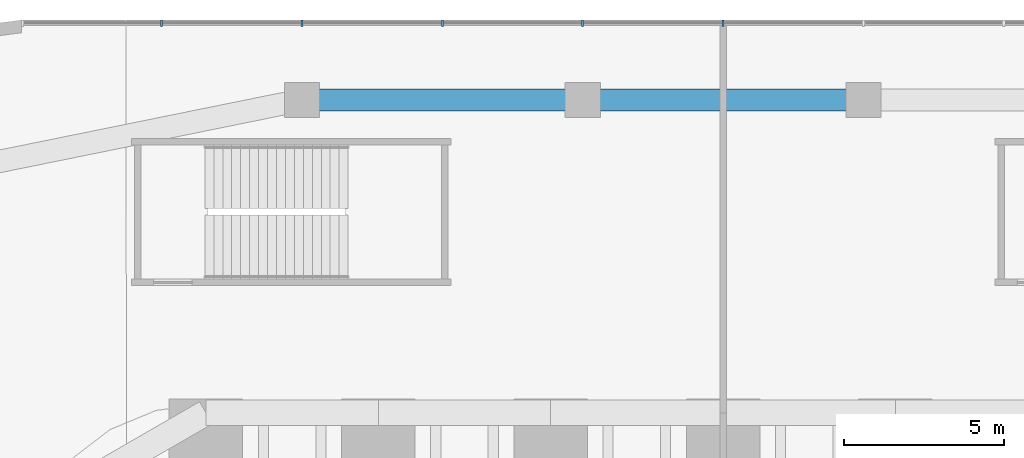
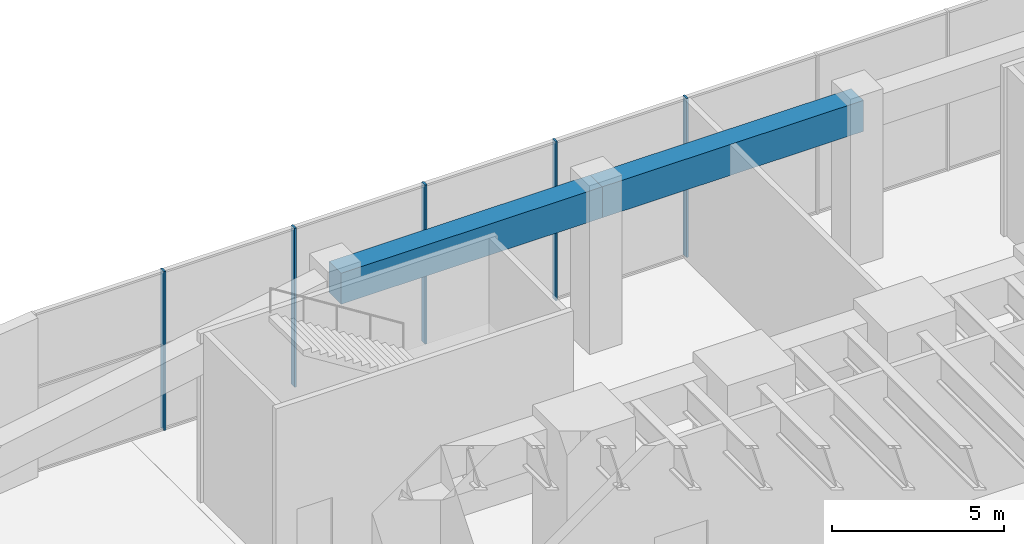
# One storey, part 18 of 31: 5 members, 2 beams, 1 element without a shape of its own.
"""IFC4 building model written with IfcOpenShell, lengths in metres."""

from ifc_helpers import new_model, si_unit, direction, frame, origin, origin_2d, place, context, subcontext, project, spatial, rectangle, extrude, material, material_profile, profile_set, type_object, element, aggregate, save


model = new_model("IFC4")

# Units and contexts
model_context = context("Model", 3, precision=1e-05, world=origin(), true_north=direction((0.0, 1.0)))
body_context = subcontext(model_context, "Body", "Model", "MODEL_VIEW")
ifc_project = project(units=[si_unit("LENGTHUNIT", "METRE"), si_unit("AREAUNIT", "SQUARE_METRE"), si_unit("VOLUMEUNIT", "CUBIC_METRE"), si_unit("PLANEANGLEUNIT", "RADIAN"), si_unit("MASSUNIT", "GRAM", prefix="KILO")], contexts=[model_context])

# Site, building, storey
site_placement = place(None, origin())
site = spatial("IfcSite", under=ifc_project, at=site_placement, CompositionType="ELEMENT")
building_placement = place(site_placement, origin())
building = spatial("IfcBuilding", under=site, at=building_placement, Name="Tarfa Lantern Tower", CompositionType="ELEMENT")
storey_placement = place(building_placement, frame((0.0, 0.0, 7.0)))
storey = spatial("IfcBuildingStorey", under=building, at=storey_placement, Name="L01", CompositionType="ELEMENT", Elevation=7.0)

# Curtain wall, members
ifc_material_1 = material(Name="Aluminium framed curtain wall", Category="aluminium")
curtain_wall_type = type_object("IfcCurtainWallType", Name="CW7 PODIUM GLAZING 5650", PredefinedType="USERDEFINED", material=ifc_material_1)
curtain_wall_placement = place(storey_placement, origin())
curtain_wall = element("IfcCurtainWall", 1, at=curtain_wall_placement, inside=storey, type_object=curtain_wall_type, Name="CW7 N L01", ObjectType="CURTAIN WALL", PredefinedType="USERDEFINED")
ifc_material_2 = material(Name="Aluminium mullion", Category="aluminium")
ifc_material_profile_1 = material_profile(ifc_material_2, rectangle(XDim=0.06494140625, YDim=0.199951171875, at=origin_2d()), Name="AL MULLION 65x200")
ifc_profile_set_1 = profile_set([ifc_material_profile_1], Name="Aluminium mullion")
member_type = type_object("IfcMemberType", Name="CWM1 MULLION 65x200", PredefinedType="MULLION", material=ifc_profile_set_1)
member_1_placement = place(storey_placement, frame((0.0, 45.89990234375, 0.0), z_axis=(0.0, 0.0, 1.0), x_axis=(1.0, 0.0, 0.0)))
member_1 = element("IfcMember", 2, at=member_1_placement, type_object=member_type, Name="CW7 mullion 6", PredefinedType="MULLION", context=body_context, shape_type="SweptSolid", body=[
    extrude(rectangle(XDim=0.06494140625, YDim=0.199951171875, at=origin_2d()), origin(), (0.0, 0.0, 1.0), 5.64990234375),
])
member_2_placement = place(storey_placement, frame((-4.387939453125, 45.89990234375, 0.0), z_axis=(0.0, 0.0, 1.0), x_axis=(1.0, 0.0, 0.0)))
member_2 = element("IfcMember", 3, at=member_2_placement, type_object=member_type, Name="CW7 mullion 7", PredefinedType="MULLION", context=body_context, shape_type="SweptSolid", body=[
    extrude(rectangle(XDim=0.06494140625, YDim=0.199951171875, at=origin_2d()), origin(), (0.0, 0.0, 1.0), 5.64990234375),
])
member_3_placement = place(storey_placement, frame((-8.775634765625, 45.89990234375, 0.0), z_axis=(0.0, 0.0, 1.0), x_axis=(1.0, 0.0, 0.0)))
member_3 = element("IfcMember", 4, at=member_3_placement, type_object=member_type, Name="CW7 mullion 8", PredefinedType="MULLION", context=body_context, shape_type="SweptSolid", body=[
    extrude(rectangle(XDim=0.06494140625, YDim=0.199951171875, at=origin_2d()), origin(), (0.0, 0.0, 1.0), 5.64990234375),
])
member_4_placement = place(storey_placement, frame((-13.16357421875, 45.89990234375, 0.0), z_axis=(0.0, 0.0, 1.0), x_axis=(1.0, 0.0, 0.0)))
member_4 = element("IfcMember", 5, at=member_4_placement, type_object=member_type, Name="CW7 mullion 9", PredefinedType="MULLION", context=body_context, shape_type="SweptSolid", body=[
    extrude(rectangle(XDim=0.06494140625, YDim=0.199951171875, at=origin_2d()), origin(), (0.0, 0.0, 1.0), 5.64990234375),
])
member_5_placement = place(storey_placement, frame((-17.551513671875, 45.89990234375, 0.0), z_axis=(0.0, 0.0, 1.0), x_axis=(1.0, 0.0, 0.0)))
member_5 = element("IfcMember", 6, at=member_5_placement, type_object=member_type, Name="CW7 mullion 10", PredefinedType="MULLION", context=body_context, shape_type="SweptSolid", body=[
    extrude(rectangle(XDim=0.06494140625, YDim=0.199951171875, at=origin_2d()), origin(), (0.0, 0.0, 1.0), 5.64990234375),
])
aggregate(curtain_wall, [member_1, member_2, member_3, member_4, member_5])

# Beams
ifc_material_3 = material(Name="Concrete C80/95", Category="concrete")
ifc_material_profile_2 = material_profile(ifc_material_3, rectangle(XDim=0.699951171875, YDim=1.10009765625, at=origin_2d()), Name="RC 700x1100")
ifc_profile_set_2 = profile_set([ifc_material_profile_2], Name="Concrete C80/95")
beam_type = type_object("IfcBeamType", Name="PB1 RC 700x1100", PredefinedType="BEAM", material=ifc_profile_set_2)
beam_1_placement = place(storey_placement, frame((4.387939453125, 43.5, 5.10009765625), z_axis=(-1.0, 0.0, 0.0), x_axis=(0.0, -1.0, 0.0)))
element("IfcBeam", 7, at=beam_1_placement, inside=storey, type_object=beam_type, Name="Podium ring beam N2", PredefinedType="BEAM", context=body_context, shape_type="SweptSolid", body=[
    extrude(rectangle(XDim=0.699951171875, YDim=1.10009765625, at=origin_2d()), origin(), (0.0, 0.0, 1.0), 8.77587890625),
])
beam_2_placement = place(storey_placement, frame((-4.387939453125, 43.5, 5.10009765625), z_axis=(-1.0, 0.0, 0.0), x_axis=(0.0, -1.0, 0.0)))
element("IfcBeam", 8, at=beam_2_placement, inside=storey, type_object=beam_type, Name="Podium ring beam N3", PredefinedType="BEAM", context=body_context, shape_type="SweptSolid", body=[
    extrude(rectangle(XDim=0.699951171875, YDim=1.10009765625, at=origin_2d()), origin(), (0.0, 0.0, 1.0), 8.775634765625),
])

save(model, "model.ifc")
